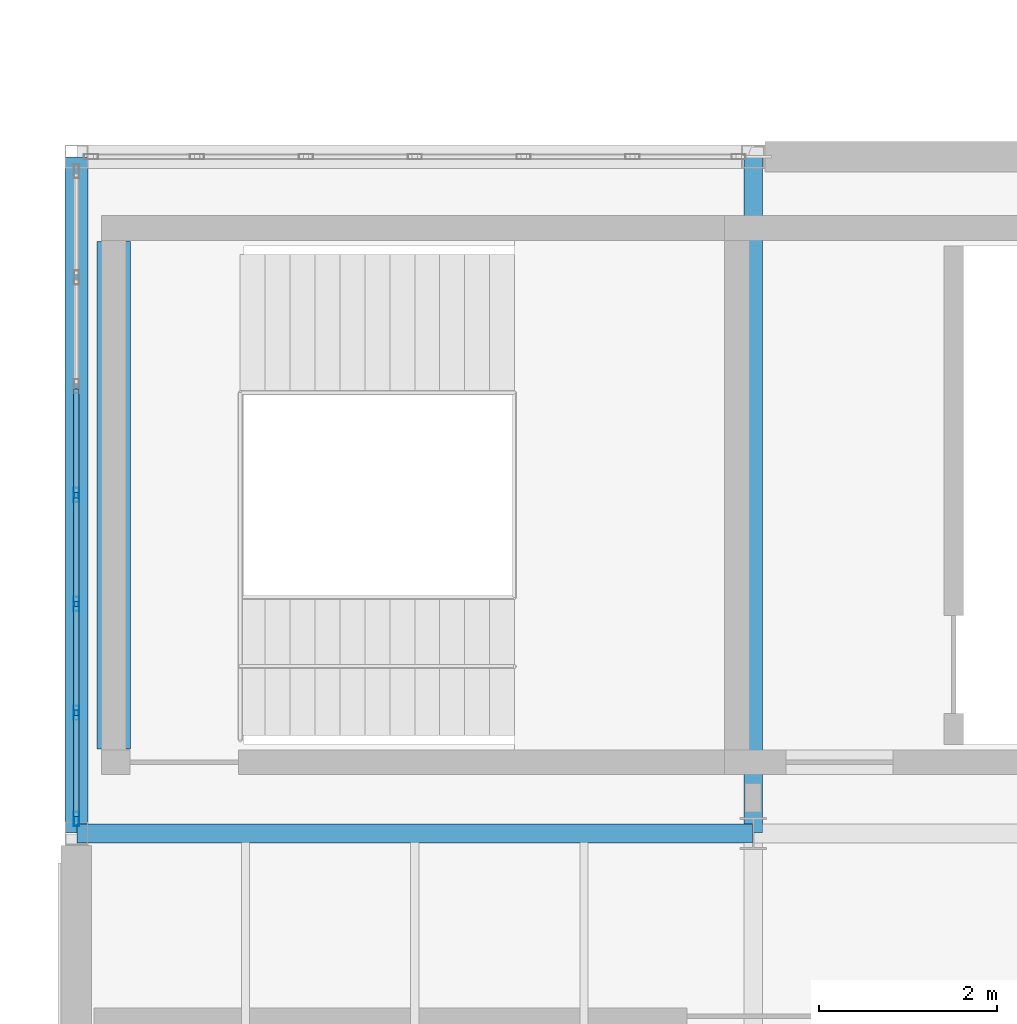
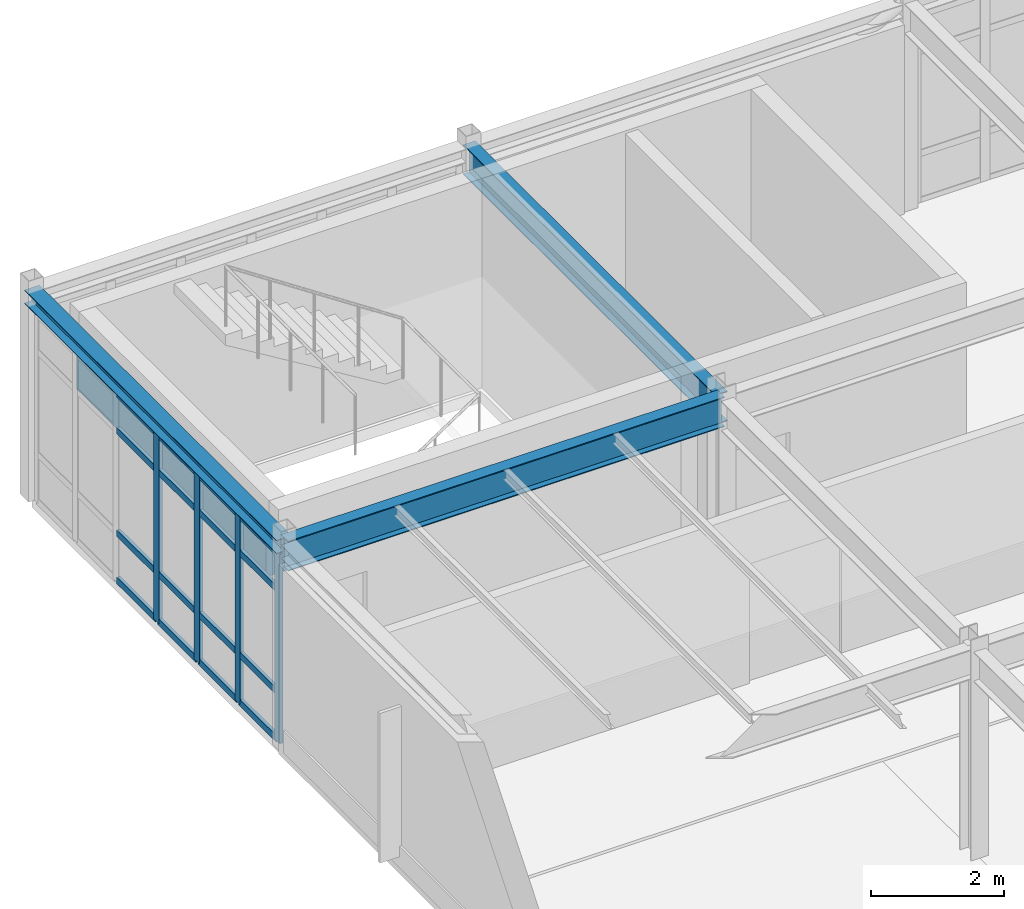
# One storey, part 74 of 189: 20 members, 4 beams, 1 element without a shape of its own.
"""IFC4 building model written with IfcOpenShell, lengths in metres."""

from ifc_helpers import new_model, si_unit, direction, frame, origin, origin_2d, place, context, subcontext, project, spatial, rectangle, hollow_rectangle, i_section, extrude, material, layer, layer_set, material_profile, profile_set, type_object, element, aggregate, save


model = new_model("IFC4")

# Units and contexts
model_context = context("Model", 3, precision=1e-05, world=origin(), true_north=direction((0.0, 1.0)))
body_context = subcontext(model_context, "Body", "Model", "MODEL_VIEW")
ifc_project = project(units=[si_unit("LENGTHUNIT", "METRE"), si_unit("AREAUNIT", "SQUARE_METRE"), si_unit("VOLUMEUNIT", "CUBIC_METRE"), si_unit("PLANEANGLEUNIT", "RADIAN"), si_unit("MASSUNIT", "GRAM", prefix="KILO")], contexts=[model_context])

# Site, building, storey
site_placement = place(None, origin())
site = spatial("IfcSite", under=ifc_project, at=site_placement, CompositionType="ELEMENT")
building_placement = place(site_placement, origin())
building = spatial("IfcBuilding", under=site, at=building_placement, Name="Montecoro Central Library", CompositionType="ELEMENT")
storey_placement = place(building_placement, frame((0.0, 0.0, 9.179931640625)))
storey = spatial("IfcBuildingStorey", under=building, at=storey_placement, Name="L02", CompositionType="ELEMENT", Elevation=9.179931640625)

# Beams
ifc_material_1 = material(Name="Steel S355J2", Category="steel")
ifc_material_profile_1 = material_profile(ifc_material_1, i_section(OverallWidth=0.2099609375, OverallDepth=0.550048828125, WebThickness=0.010986328125, FlangeThickness=0.01708984375, at=origin_2d()), Name="IPE 550")
ifc_profile_set_1 = profile_set([ifc_material_profile_1], Name="Steel S355J2")
beam_type_1 = type_object("IfcBeamType", Name="BM-G-IPE550", PredefinedType="USERDEFINED", material=ifc_profile_set_1)
for number, where, z_axis, x_axis, name in (
    (1, (5.0048828125, 103.800048828125, 3.550048828125), (1.0, 0.0, 0.0), (0.0, 1.0, 0.0), "V4-L02-BX-12-P"),
    (2, (12.60009765625, 103.804931640625, 3.550048828125), (0.0, 1.0, 0.0), (-1.0, 0.0, 0.0), "V4-L02-BY-2-PQ"),
):
    element("IfcBeam", number, at=place(storey_placement, frame(where, z_axis=z_axis, x_axis=x_axis)), inside=storey, type_object=beam_type_1, Name=name, ObjectType="GIRDER", PredefinedType="USERDEFINED", context=body_context, shape_type="SweptSolid", body=[
        extrude(i_section(OverallWidth=0.2099609375, OverallDepth=0.550048828125, WebThickness=0.010986328125, FlangeThickness=0.01708984375, at=origin_2d()), origin(), (0.0, 0.0, 1.0), 7.590087890625),
    ])
ifc_material_2 = material(Name="Concrete C35/45", Category="concrete")
ifc_material_profile_2 = material_profile(ifc_material_2, rectangle(XDim=0.3798828125, YDim=0.6201171875, at=origin_2d()), Name="RC LNT 620x380")
ifc_profile_set_2 = profile_set([ifc_material_profile_2], Name="Concrete C35/45")
beam_type_2 = type_object("IfcBeamType", Name="BM-LN-RC05", PredefinedType="LINTEL", material=ifc_profile_set_2)
beam_1_placement = place(storey_placement, frame((5.419921875, 104.75, 2.760009765625), z_axis=(0.0, 1.0, 0.0), x_axis=(-1.0, 0.0, 0.0)))
element("IfcBeam", 3, at=beam_1_placement, inside=storey, type_object=beam_type_2, Name="C5-L02-LNT", PredefinedType="LINTEL", context=body_context, shape_type="SweptSolid", body=[
    extrude(rectangle(XDim=0.3798828125, YDim=0.6201171875, at=origin_2d()), origin(), (0.0, 0.0, 1.0), 5.699951171875),
])
ifc_material_3 = material(Name="Steel S355", Category="steel")
ifc_material_profile_3 = material_profile(ifc_material_3, i_section(OverallWidth=0.260009765625, OverallDepth=0.25, WebThickness=0.007568359375, FlangeThickness=0.012451171875, at=origin_2d()), Name="HEA 260")
ifc_profile_set_3 = profile_set([ifc_material_profile_3], Name="Steel S355")
beam_type_3 = type_object("IfcBeamType", Name="BM-SP-HEA260", PredefinedType="SPANDREL", material=ifc_profile_set_3)
beam_2_placement = place(storey_placement, frame((5.0, 103.804931640625, 3.699951171875), z_axis=(0.0, 1.0, 0.0), x_axis=(-1.0, 0.0, 0.0)))
element("IfcBeam", 4, at=beam_2_placement, inside=storey, type_object=beam_type_3, Name="V4-L02-BY-1-PQ", PredefinedType="SPANDREL", context=body_context, shape_type="SweptSolid", body=[
    extrude(i_section(OverallWidth=0.260009765625, OverallDepth=0.25, WebThickness=0.007568359375, FlangeThickness=0.012451171875, at=origin_2d()), origin(), (0.0, 0.0, 1.0), 7.590087890625),
])

# Curtain wall, members
ifc_material_4 = material(Name="Bronze-anodised aluminium and low-E glazing", Category="aluminium")
ifc_layer = layer(ifc_material_4, 0.159912109375)
ifc_layer_set = layer_set([ifc_layer], Name="Bronze-anodised aluminium and low-E glazing")
curtain_wall_type = type_object("IfcCurtainWallType", Name="CWT-049", PredefinedType="NOTDEFINED", material=ifc_layer_set)
curtain_wall_placement = place(storey_placement, origin())
curtain_wall = element("IfcCurtainWall", 5, at=curtain_wall_placement, inside=storey, type_object=curtain_wall_type, Name="V4-L02-CW-W4", PredefinedType="NOTDEFINED")
ifc_material_5 = material(Name="Bronze-anodised aluminium", Category="aluminium")
ifc_material_profile_4 = material_profile(ifc_material_5, hollow_rectangle(XDim=0.06005859375, YDim=0.159912109375, WallThickness=0.00390625, at=origin_2d()), Name="CWM 160x60x4.0")
ifc_profile_set_4 = profile_set([ifc_material_profile_4], Name="Bronze-anodised aluminium")
member_type_1 = type_object("IfcMemberType", Name="CWM-BRZ-60", PredefinedType="MULLION", material=ifc_profile_set_4)
member_1_placement = place(storey_placement, frame((5.0, 107.60009765625, 0.0), z_axis=(0.0, 0.0, 1.0), x_axis=(1.0, 0.0, 0.0)))
member_1 = element("IfcMember", 6, at=member_1_placement, type_object=member_type_1, Name="CW-049 mullion 4", PredefinedType="MULLION", context=body_context, shape_type="SweptSolid", body=[
    extrude(hollow_rectangle(XDim=0.06005859375, YDim=0.159912109375, WallThickness=0.00390625, at=origin_2d()), origin(), (0.0, 0.0, 1.0), 3.47998046875),
])
member_2_placement = place(storey_placement, frame((5.0, 106.377685546875, 0.0), z_axis=(0.0, 0.0, 1.0), x_axis=(1.0, 0.0, 0.0)))
member_2 = element("IfcMember", 7, at=member_2_placement, type_object=member_type_1, Name="CW-049 mullion 5", PredefinedType="MULLION", context=body_context, shape_type="SweptSolid", body=[
    extrude(hollow_rectangle(XDim=0.06005859375, YDim=0.159912109375, WallThickness=0.00390625, at=origin_2d()), origin(), (0.0, 0.0, 1.0), 3.47998046875),
])
member_3_placement = place(storey_placement, frame((5.0, 105.1552734375, 0.0), z_axis=(0.0, 0.0, 1.0), x_axis=(1.0, 0.0, 0.0)))
member_3 = element("IfcMember", 8, at=member_3_placement, type_object=member_type_1, Name="CW-049 mullion 6", PredefinedType="MULLION", context=body_context, shape_type="SweptSolid", body=[
    extrude(hollow_rectangle(XDim=0.06005859375, YDim=0.159912109375, WallThickness=0.00390625, at=origin_2d()), origin(), (0.0, 0.0, 1.0), 3.47998046875),
])
member_4_placement = place(storey_placement, frame((5.0, 103.962890625, 0.0), z_axis=(0.0, 0.0, 1.0), x_axis=(1.0, 0.0, 0.0)))
member_4 = element("IfcMember", 9, at=member_4_placement, type_object=member_type_1, Name="CW-049 mullion 7", PredefinedType="MULLION", context=body_context, shape_type="SweptSolid", body=[
    extrude(hollow_rectangle(XDim=0.06005859375, YDim=0.159912109375, WallThickness=0.00390625, at=origin_2d()), origin(), (0.0, 0.0, 1.0), 3.47998046875),
])
ifc_material_profile_5 = material_profile(ifc_material_5, hollow_rectangle(XDim=0.06005859375, YDim=0.1201171875, WallThickness=0.00390625, at=origin_2d()), Name="CWT 120x60x4.0")
ifc_profile_set_5 = profile_set([ifc_material_profile_5], Name="Bronze-anodised aluminium")
member_type_2 = type_object("IfcMemberType", Name="CWT-BRZ-60", PredefinedType="USERDEFINED", material=ifc_profile_set_5)
member_5_placement = place(storey_placement, frame((5.0, 108.792236328125, 0.030029296875), z_axis=(0.0, -1.0, 0.0), x_axis=(1.0, 0.0, 0.0)))
member_5 = element("IfcMember", 10, at=member_5_placement, type_object=member_type_2, Name="CW-049 transom 3.1", ObjectType="TRANSOM", PredefinedType="USERDEFINED", context=body_context, shape_type="SweptSolid", body=[
    extrude(hollow_rectangle(XDim=0.06005859375, YDim=0.1201171875, WallThickness=0.00390625, at=origin_2d()), origin(), (0.0, 0.0, 1.0), 1.162353515625),
])
member_6_placement = place(storey_placement, frame((5.0, 108.792236328125, 0.900146484375), z_axis=(0.0, -1.0, 0.0), x_axis=(1.0, 0.0, 0.0)))
member_6 = element("IfcMember", 11, at=member_6_placement, type_object=member_type_2, Name="CW-049 transom 3.2", ObjectType="TRANSOM", PredefinedType="USERDEFINED", context=body_context, shape_type="SweptSolid", body=[
    extrude(hollow_rectangle(XDim=0.06005859375, YDim=0.1201171875, WallThickness=0.00390625, at=origin_2d()), origin(), (0.0, 0.0, 1.0), 1.162353515625),
])
member_7_placement = place(storey_placement, frame((5.0, 108.792236328125, 2.780029296875), z_axis=(0.0, -1.0, 0.0), x_axis=(1.0, 0.0, 0.0)))
member_7 = element("IfcMember", 12, at=member_7_placement, type_object=member_type_2, Name="CW-049 transom 3.3", ObjectType="TRANSOM", PredefinedType="USERDEFINED", context=body_context, shape_type="SweptSolid", body=[
    extrude(hollow_rectangle(XDim=0.06005859375, YDim=0.1201171875, WallThickness=0.00390625, at=origin_2d()), origin(), (0.0, 0.0, 1.0), 1.162353515625),
])
member_8_placement = place(storey_placement, frame((5.0, 108.792236328125, 3.449951171875), z_axis=(0.0, -1.0, 0.0), x_axis=(1.0, 0.0, 0.0)))
member_8 = element("IfcMember", 13, at=member_8_placement, type_object=member_type_2, Name="CW-049 transom 3.4", ObjectType="TRANSOM", PredefinedType="USERDEFINED", context=body_context, shape_type="SweptSolid", body=[
    extrude(hollow_rectangle(XDim=0.06005859375, YDim=0.1201171875, WallThickness=0.00390625, at=origin_2d()), origin(), (0.0, 0.0, 1.0), 1.162353515625),
])
member_9_placement = place(storey_placement, frame((5.0, 107.570068359375, 0.030029296875), z_axis=(0.0, -1.0, 0.0), x_axis=(1.0, 0.0, 0.0)))
member_9 = element("IfcMember", 14, at=member_9_placement, type_object=member_type_2, Name="CW-049 transom 4.1", ObjectType="TRANSOM", PredefinedType="USERDEFINED", context=body_context, shape_type="SweptSolid", body=[
    extrude(hollow_rectangle(XDim=0.06005859375, YDim=0.1201171875, WallThickness=0.00390625, at=origin_2d()), origin(), (0.0, 0.0, 1.0), 1.162353515625),
])
member_10_placement = place(storey_placement, frame((5.0, 107.570068359375, 0.900146484375), z_axis=(0.0, -1.0, 0.0), x_axis=(1.0, 0.0, 0.0)))
member_10 = element("IfcMember", 15, at=member_10_placement, type_object=member_type_2, Name="CW-049 transom 4.2", ObjectType="TRANSOM", PredefinedType="USERDEFINED", context=body_context, shape_type="SweptSolid", body=[
    extrude(hollow_rectangle(XDim=0.06005859375, YDim=0.1201171875, WallThickness=0.00390625, at=origin_2d()), origin(), (0.0, 0.0, 1.0), 1.162353515625),
])
member_11_placement = place(storey_placement, frame((5.0, 107.570068359375, 2.780029296875), z_axis=(0.0, -1.0, 0.0), x_axis=(1.0, 0.0, 0.0)))
member_11 = element("IfcMember", 16, at=member_11_placement, type_object=member_type_2, Name="CW-049 transom 4.3", ObjectType="TRANSOM", PredefinedType="USERDEFINED", context=body_context, shape_type="SweptSolid", body=[
    extrude(hollow_rectangle(XDim=0.06005859375, YDim=0.1201171875, WallThickness=0.00390625, at=origin_2d()), origin(), (0.0, 0.0, 1.0), 1.162353515625),
])
member_12_placement = place(storey_placement, frame((5.0, 107.570068359375, 3.449951171875), z_axis=(0.0, -1.0, 0.0), x_axis=(1.0, 0.0, 0.0)))
member_12 = element("IfcMember", 17, at=member_12_placement, type_object=member_type_2, Name="CW-049 transom 4.4", ObjectType="TRANSOM", PredefinedType="USERDEFINED", context=body_context, shape_type="SweptSolid", body=[
    extrude(hollow_rectangle(XDim=0.06005859375, YDim=0.1201171875, WallThickness=0.00390625, at=origin_2d()), origin(), (0.0, 0.0, 1.0), 1.162353515625),
])
member_13_placement = place(storey_placement, frame((5.0, 106.34765625, 0.030029296875), z_axis=(0.0, -1.0, 0.0), x_axis=(1.0, 0.0, 0.0)))
member_13 = element("IfcMember", 18, at=member_13_placement, type_object=member_type_2, Name="CW-049 transom 5.1", ObjectType="TRANSOM", PredefinedType="USERDEFINED", context=body_context, shape_type="SweptSolid", body=[
    extrude(hollow_rectangle(XDim=0.06005859375, YDim=0.1201171875, WallThickness=0.00390625, at=origin_2d()), origin(), (0.0, 0.0, 1.0), 1.162353515625),
])
member_14_placement = place(storey_placement, frame((5.0, 106.34765625, 0.900146484375), z_axis=(0.0, -1.0, 0.0), x_axis=(1.0, 0.0, 0.0)))
member_14 = element("IfcMember", 19, at=member_14_placement, type_object=member_type_2, Name="CW-049 transom 5.2", ObjectType="TRANSOM", PredefinedType="USERDEFINED", context=body_context, shape_type="SweptSolid", body=[
    extrude(hollow_rectangle(XDim=0.06005859375, YDim=0.1201171875, WallThickness=0.00390625, at=origin_2d()), origin(), (0.0, 0.0, 1.0), 1.162353515625),
])
member_15_placement = place(storey_placement, frame((5.0, 106.34765625, 2.780029296875), z_axis=(0.0, -1.0, 0.0), x_axis=(1.0, 0.0, 0.0)))
member_15 = element("IfcMember", 20, at=member_15_placement, type_object=member_type_2, Name="CW-049 transom 5.3", ObjectType="TRANSOM", PredefinedType="USERDEFINED", context=body_context, shape_type="SweptSolid", body=[
    extrude(hollow_rectangle(XDim=0.06005859375, YDim=0.1201171875, WallThickness=0.00390625, at=origin_2d()), origin(), (0.0, 0.0, 1.0), 1.162353515625),
])
member_16_placement = place(storey_placement, frame((5.0, 106.34765625, 3.449951171875), z_axis=(0.0, -1.0, 0.0), x_axis=(1.0, 0.0, 0.0)))
member_16 = element("IfcMember", 21, at=member_16_placement, type_object=member_type_2, Name="CW-049 transom 5.4", ObjectType="TRANSOM", PredefinedType="USERDEFINED", context=body_context, shape_type="SweptSolid", body=[
    extrude(hollow_rectangle(XDim=0.06005859375, YDim=0.1201171875, WallThickness=0.00390625, at=origin_2d()), origin(), (0.0, 0.0, 1.0), 1.162353515625),
])
member_17_placement = place(storey_placement, frame((5.0, 105.125244140625, 0.030029296875), z_axis=(0.0, -1.0, 0.0), x_axis=(1.0, 0.0, 0.0)))
member_17 = element("IfcMember", 22, at=member_17_placement, type_object=member_type_2, Name="CW-049 transom 6.1", ObjectType="TRANSOM", PredefinedType="USERDEFINED", context=body_context, shape_type="SweptSolid", body=[
    extrude(hollow_rectangle(XDim=0.06005859375, YDim=0.1201171875, WallThickness=0.00390625, at=origin_2d()), origin(), (0.0, 0.0, 1.0), 1.13232421875),
])
member_18_placement = place(storey_placement, frame((5.0, 105.125244140625, 0.900146484375), z_axis=(0.0, -1.0, 0.0), x_axis=(1.0, 0.0, 0.0)))
member_18 = element("IfcMember", 23, at=member_18_placement, type_object=member_type_2, Name="CW-049 transom 6.2", ObjectType="TRANSOM", PredefinedType="USERDEFINED", context=body_context, shape_type="SweptSolid", body=[
    extrude(hollow_rectangle(XDim=0.06005859375, YDim=0.1201171875, WallThickness=0.00390625, at=origin_2d()), origin(), (0.0, 0.0, 1.0), 1.13232421875),
])
member_19_placement = place(storey_placement, frame((5.0, 105.125244140625, 2.780029296875), z_axis=(0.0, -1.0, 0.0), x_axis=(1.0, 0.0, 0.0)))
member_19 = element("IfcMember", 24, at=member_19_placement, type_object=member_type_2, Name="CW-049 transom 6.3", ObjectType="TRANSOM", PredefinedType="USERDEFINED", context=body_context, shape_type="SweptSolid", body=[
    extrude(hollow_rectangle(XDim=0.06005859375, YDim=0.1201171875, WallThickness=0.00390625, at=origin_2d()), origin(), (0.0, 0.0, 1.0), 1.13232421875),
])
member_20_placement = place(storey_placement, frame((5.0, 105.125244140625, 3.449951171875), z_axis=(0.0, -1.0, 0.0), x_axis=(1.0, 0.0, 0.0)))
member_20 = element("IfcMember", 25, at=member_20_placement, type_object=member_type_2, Name="CW-049 transom 6.4", ObjectType="TRANSOM", PredefinedType="USERDEFINED", context=body_context, shape_type="SweptSolid", body=[
    extrude(hollow_rectangle(XDim=0.06005859375, YDim=0.1201171875, WallThickness=0.00390625, at=origin_2d()), origin(), (0.0, 0.0, 1.0), 1.13232421875),
])
aggregate(curtain_wall, [member_1, member_2, member_3, member_4, member_5, member_6, member_7, member_8, member_9, member_10, member_11, member_12, member_13, member_14, member_15, member_16, member_17, member_18, member_19, member_20])

save(model, "model.ifc")
